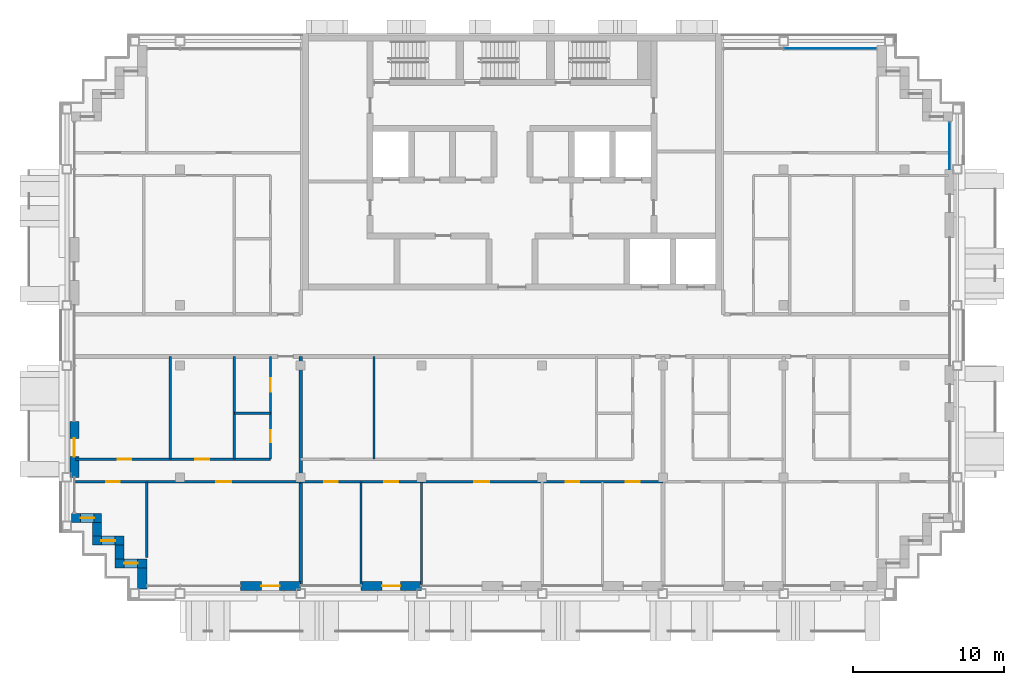
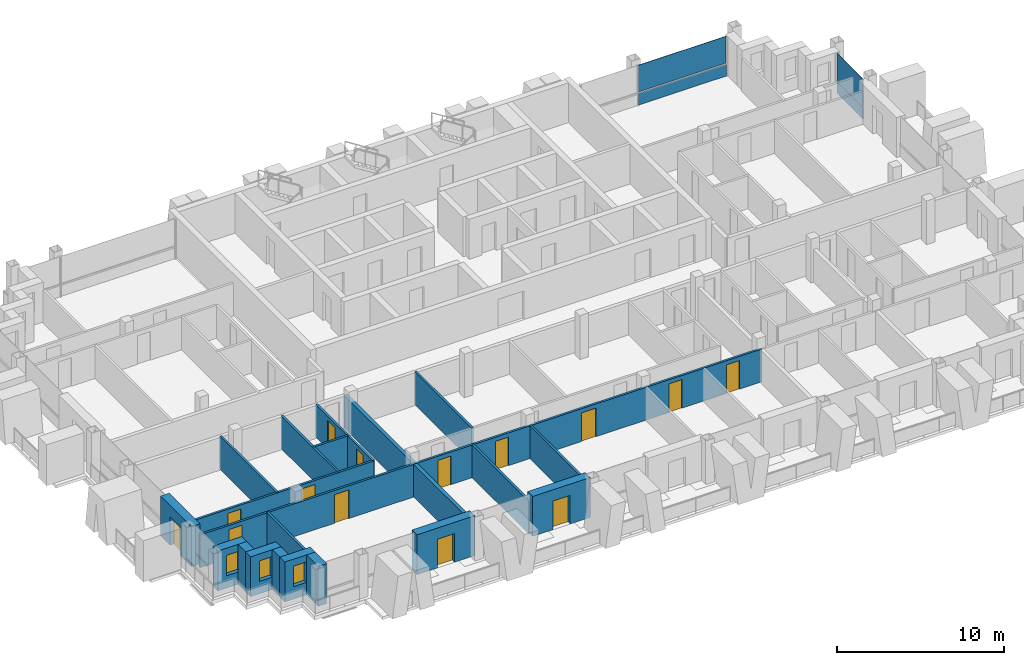
# One storey, part 7 of 15: 21 walls, 14 doors, 4 plates, 3 windows, 17 openings, 2 elements without a shape of their own.
"""IFC4 building model written with IfcOpenShell, lengths in metres."""

from ifc_helpers import new_model, si_unit, direction, frame, frame_2d, origin, origin_2d, place, context, subcontext, project, spatial, rectangle, extrude, material, layer, layer_set, type_object, element, fill, aggregate, save


model = new_model("IFC4")

# Units and contexts
model_context = context("Model", 3, precision=1e-05, world=origin(), true_north=direction((0.0, 1.0)))
body_context = subcontext(model_context, "Body", "Model", "MODEL_VIEW")
ifc_project = project(units=[si_unit("LENGTHUNIT", "METRE"), si_unit("AREAUNIT", "SQUARE_METRE"), si_unit("VOLUMEUNIT", "CUBIC_METRE"), si_unit("PLANEANGLEUNIT", "RADIAN"), si_unit("MASSUNIT", "GRAM", prefix="KILO")], contexts=[model_context])

# Site, building, storey
site_placement = place(None, origin())
site = spatial("IfcSite", under=ifc_project, at=site_placement, CompositionType="ELEMENT")
building_placement = place(site_placement, origin())
building = spatial("IfcBuilding", under=site, at=building_placement, Name="Vidyagriha Tower", CompositionType="ELEMENT")
storey_placement = place(building_placement, frame((0.0, 0.0, 210.800048828125)))
storey = spatial("IfcBuildingStorey", under=building, at=storey_placement, Name="L54", CompositionType="ELEMENT", Elevation=210.800048828125)

# Curtain wall, plate
ifc_material_1 = material(Name="Aluminium and glass curtain wall", Category="aluminium")
curtain_wall_type = type_object("IfcCurtainWallType", Name="Dwelling skin unitised curtain wall", PredefinedType="USERDEFINED", material=ifc_material_1)
curtain_wall_1_placement = place(storey_placement, origin())
curtain_wall_1 = element("IfcCurtainWall", 1, at=curtain_wall_1_placement, inside=storey, type_object=curtain_wall_type, Name="CW1 dwelling skin", ObjectType="UNITISED", PredefinedType="USERDEFINED")
ifc_material_2 = material(Name="Glass dark ceramic-fritted spandrel", Category="glass")
ifc_layer_1 = layer(ifc_material_2, 0.0400390625)
ifc_layer_set_1 = layer_set([ifc_layer_1], Name="Glass dark ceramic-fritted spandrel")
plate_type_1 = type_object("IfcPlateType", Name="Ceramic-fritted spandrel panel", PredefinedType="CURTAIN_PANEL", material=ifc_layer_set_1)
plate_1_placement = place(storey_placement, frame((21.08251953125, 19.0, 0.0), z_axis=(0.0, 0.0, 1.0), x_axis=(-1.0, 0.0, 0.0)))
plate_1 = element("IfcPlate", 2, at=plate_1_placement, type_object=plate_type_1, Name="CW1 panel 1.1", PredefinedType="CURTAIN_PANEL", context=body_context, shape_type="SweptSolid", body=[
    extrude(rectangle(XDim=6.094970703125, YDim=0.0400390625, at=origin_2d()), origin(), (0.0, 0.0, 1.0), 0.85009765625),
])

curtain_wall_2_placement = place(storey_placement, origin())
curtain_wall_2 = element("IfcCurtainWall", 3, at=curtain_wall_2_placement, inside=storey, type_object=curtain_wall_type, Name="CW1 dwelling skin", ObjectType="UNITISED", PredefinedType="USERDEFINED")
plate_2_placement = place(storey_placement, frame((29.0, 12.56494140625, 0.0), z_axis=(0.0, 0.0, 1.0), x_axis=(0.0, 1.0, 0.0)))
plate_2 = element("IfcPlate", 4, at=plate_2_placement, type_object=plate_type_1, Name="CW1 panel 1.1", PredefinedType="CURTAIN_PANEL", context=body_context, shape_type="SweptSolid", body=[
    extrude(rectangle(XDim=3.1298828125, YDim=0.0400390625, at=origin_2d()), origin(), (0.0, 0.0, 1.0), 0.85009765625),
])

# Plate
ifc_material_3 = material(Name="Glass dark ceramic-fritted", Category="glass")
ifc_layer_2 = layer(ifc_material_3, 0.028076171875)
ifc_layer_set_2 = layer_set([ifc_layer_2], Name="Glass dark ceramic-fritted")
plate_type_2 = type_object("IfcPlateType", Name="Dark ceramic-fritted vision glass panel", PredefinedType="CURTAIN_PANEL", material=ifc_layer_set_2)
plate_3_placement = place(storey_placement, frame((21.08251953125, 19.0, 0.9501953125), z_axis=(0.0, 0.0, 1.0), x_axis=(-1.0, 0.0, 0.0)))
plate_3 = element("IfcPlate", 5, at=plate_3_placement, type_object=plate_type_2, Name="CW1 panel 1.2", PredefinedType="CURTAIN_PANEL", context=body_context, shape_type="SweptSolid", body=[
    extrude(rectangle(XDim=6.094970703125, YDim=0.028076171875, at=origin_2d()), origin(), (0.0, 0.0, 1.0), 1.969970703125),
])

aggregate(curtain_wall_1, [plate_1, plate_3])

plate_4_placement = place(storey_placement, frame((29.0, 12.56494140625, 0.9501953125), z_axis=(0.0, 0.0, 1.0), x_axis=(0.0, 1.0, 0.0)))
plate_4 = element("IfcPlate", 6, at=plate_4_placement, type_object=plate_type_2, Name="CW1 panel 1.2", PredefinedType="CURTAIN_PANEL", context=body_context, shape_type="SweptSolid", body=[
    extrude(rectangle(XDim=3.1298828125, YDim=0.028076171875, at=origin_2d()), origin(), (0.0, 0.0, 1.0), 1.969970703125),
])

aggregate(curtain_wall_2, [plate_2, plate_4])

# Wall, opening, door
ifc_material_4 = material(Name="Precast concrete C40/50 with brick facing", Category="concrete")
ifc_layer_3 = layer(ifc_material_4, 0.60009765625)
ifc_layer_set_3 = layer_set([ifc_layer_3], Name="Precast concrete C40/50 with brick facing")
wall_type_1 = type_object("IfcWallType", Name="Brick-faced precast wall 600", PredefinedType="STANDARD", material=ifc_layer_set_3)
wall_1_placement = place(storey_placement, frame((-29.0, -5.699951171875, 0.0), z_axis=(0.0, 0.0, 1.0), x_axis=(0.0, -1.0, 0.0)))
wall_1 = element("IfcWall", 7, at=wall_1_placement, inside=storey, type_object=wall_type_1, Name="Brick door bay wall L54 R16.6", PredefinedType="STANDARD", context=body_context, shape_type="SweptSolid", body=[
    extrude(rectangle(XDim=3.699951171875, YDim=0.60009765625, at=frame_2d((1.85009765625, 0.0))), origin(), (0.0, 0.0, 1.0), 2.919921875),
])
opening_1_placement = place(wall_1_placement, frame((1.125, 0.0, 0.0)))
opening_1 = element("IfcOpeningElement", 8, at=opening_1_placement, cuts=wall_1, Name="Opening D54-60", PredefinedType="OPENING", context=body_context, shape_type="SweptSolid", body=[
    extrude(rectangle(XDim=1.199951171875, YDim=2.10009765625, at=frame_2d((0.60009765625, 1.050048828125))), frame((0.0, 0.31005859375, 0.0), z_axis=(0.0, -1.0, 0.0), x_axis=(1.0, 0.0, 0.0)), (0.0, 0.0, 1.0), 0.6201171875),
])
ifc_material_5 = material(Name="Aluminium framed glazed sliding door", Category="aluminium")
door_type_1 = type_object("IfcDoorType", Name="Balcony sliding door 1200x2100", OperationType="NOTDEFINED", PredefinedType="DOOR", material=ifc_material_5)
door_1_placement = place(opening_1_placement, origin())
door_1 = element("IfcDoor", 9, at=door_1_placement, inside=storey, type_object=door_type_1, Name="Door D54-60", OperationType="SLIDING_TO_LEFT", OverallHeight=2.10009765625, OverallWidth=1.199951171875, PredefinedType="DOOR", context=body_context, shape_type="SweptSolid", body=[
    extrude(rectangle(XDim=1.199951171875, YDim=2.10009765625, at=frame_2d((0.60009765625, 1.050048828125))), frame((0.0, 0.02490234375, 0.0), z_axis=(0.0, -1.0, 0.0), x_axis=(1.0, 0.0, 0.0)), (0.0, 0.0, 1.0), 0.050048828125),
])
fill(opening_1, door_1)

# Wall, opening, window
wall_2_placement = place(storey_placement, frame((-29.199951171875, -12.10009765625, 0.0)))
wall_2 = element("IfcWall", 10, at=wall_2_placement, inside=storey, type_object=wall_type_1, Name="Stepped corner wall L54 R17", PredefinedType="STANDARD", context=body_context, shape_type="SweptSolid", body=[
    extrude(rectangle(XDim=2.0, YDim=0.60009765625, at=frame_2d((1.0, 0.0))), origin(), (0.0, 0.0, 1.0), 2.919921875),
])
opening_2_placement = place(wall_2_placement, frame((0.610107421875, 0.0, 0.89990234375)))
opening_2 = element("IfcOpeningElement", 11, at=opening_2_placement, cuts=wall_2, Name="Opening WN1", PredefinedType="OPENING", context=body_context, shape_type="SweptSolid", body=[
    extrude(rectangle(XDim=0.89990234375, YDim=1.5, at=frame_2d((0.449951171875, 0.75))), frame((0.0, 0.31005859375, 0.0), z_axis=(0.0, -1.0, 0.0), x_axis=(1.0, 0.0, 0.0)), (0.0, 0.0, 1.0), 0.6201171875),
])
ifc_material_6 = material(Name="Aluminium and glass window", Category="aluminium")
window_type = type_object("IfcWindowType", Name="Reveal window 900x1500", PartitioningType="NOTDEFINED", PredefinedType="WINDOW", material=ifc_material_6)
window_1_placement = place(opening_2_placement, origin())
window_1 = element("IfcWindow", 12, at=window_1_placement, inside=storey, type_object=window_type, Name="Reveal window L54 R17", OverallHeight=1.5, OverallWidth=0.89990234375, PartitioningType="SINGLE_PANEL", PredefinedType="WINDOW", context=body_context, shape_type="SweptSolid", body=[
    extrude(rectangle(XDim=0.89990234375, YDim=1.5, at=frame_2d((0.449951171875, 0.75))), frame((0.0, 0.030029296875, 0.0), z_axis=(0.0, -1.0, 0.0), x_axis=(1.0, 0.0, 0.0)), (0.0, 0.0, 1.0), 0.06005859375),
])
fill(opening_2, window_1)

# Wall
wall_3_placement = place(storey_placement, frame((-27.5, -12.39990234375, 0.0), z_axis=(0.0, 0.0, 1.0), x_axis=(0.0, -1.0, 0.0)))
element("IfcWall", 13, at=wall_3_placement, inside=storey, type_object=wall_type_1, Name="Stepped corner wall L54 R18", PredefinedType="STANDARD", context=body_context, shape_type="SweptSolid", body=[
    extrude(rectangle(XDim=0.900146484375, YDim=0.60009765625, at=frame_2d((0.4501953125, 0.0))), origin(), (0.0, 0.0, 1.0), 2.919921875),
])

# Wall, opening, window
wall_4_placement = place(storey_placement, frame((-27.800048828125, -13.60009765625, 0.0)))
wall_4 = element("IfcWall", 14, at=wall_4_placement, inside=storey, type_object=wall_type_1, Name="Stepped corner wall L54 R19", PredefinedType="STANDARD", context=body_context, shape_type="SweptSolid", body=[
    extrude(rectangle(XDim=2.10009765625, YDim=0.60009765625, at=frame_2d((1.050048828125, 0.0))), origin(), (0.0, 0.0, 1.0), 2.919921875),
])
opening_3_placement = place(wall_4_placement, frame((0.60009765625, 0.0, 0.89990234375)))
opening_3 = element("IfcOpeningElement", 15, at=opening_3_placement, cuts=wall_4, Name="Opening WN1", PredefinedType="OPENING", context=body_context, shape_type="SweptSolid", body=[
    extrude(rectangle(XDim=0.89990234375, YDim=1.5, at=frame_2d((0.449951171875, 0.75))), frame((0.0, 0.31005859375, 0.0), z_axis=(0.0, -1.0, 0.0), x_axis=(1.0, 0.0, 0.0)), (0.0, 0.0, 1.0), 0.6201171875),
])
window_2_placement = place(opening_3_placement, origin())
window_2 = element("IfcWindow", 16, at=window_2_placement, inside=storey, type_object=window_type, Name="Reveal window L54 R19", OverallHeight=1.5, OverallWidth=0.89990234375, PartitioningType="SINGLE_PANEL", PredefinedType="WINDOW", context=body_context, shape_type="SweptSolid", body=[
    extrude(rectangle(XDim=0.89990234375, YDim=1.5, at=frame_2d((0.449951171875, 0.75))), frame((0.0, 0.030029296875, 0.0), z_axis=(0.0, -1.0, 0.0), x_axis=(1.0, 0.0, 0.0)), (0.0, 0.0, 1.0), 0.06005859375),
])
fill(opening_3, window_2)

# Wall
wall_5_placement = place(storey_placement, frame((-26.0, -13.89990234375, 0.0), z_axis=(0.0, 0.0, 1.0), x_axis=(0.0, -1.0, 0.0)))
element("IfcWall", 17, at=wall_5_placement, inside=storey, type_object=wall_type_1, Name="Stepped corner wall L54 R20", PredefinedType="STANDARD", context=body_context, shape_type="SweptSolid", body=[
    extrude(rectangle(XDim=0.900146484375, YDim=0.60009765625, at=frame_2d((0.4501953125, 0.0))), origin(), (0.0, 0.0, 1.0), 2.919921875),
])

# Wall, opening, window
wall_6_placement = place(storey_placement, frame((-26.300048828125, -15.10009765625, 0.0)))
wall_6 = element("IfcWall", 18, at=wall_6_placement, inside=storey, type_object=wall_type_1, Name="Stepped corner wall L54 R21", PredefinedType="STANDARD", context=body_context, shape_type="SweptSolid", body=[
    extrude(rectangle(XDim=2.10009765625, YDim=0.60009765625, at=frame_2d((1.050048828125, 0.0))), origin(), (0.0, 0.0, 1.0), 2.919921875),
])
opening_4_placement = place(wall_6_placement, frame((0.60009765625, 0.0, 0.89990234375)))
opening_4 = element("IfcOpeningElement", 19, at=opening_4_placement, cuts=wall_6, Name="Opening WN1", PredefinedType="OPENING", context=body_context, shape_type="SweptSolid", body=[
    extrude(rectangle(XDim=0.89990234375, YDim=1.5, at=frame_2d((0.449951171875, 0.75))), frame((0.0, 0.31005859375, 0.0), z_axis=(0.0, -1.0, 0.0), x_axis=(1.0, 0.0, 0.0)), (0.0, 0.0, 1.0), 0.6201171875),
])
window_3_placement = place(opening_4_placement, origin())
window_3 = element("IfcWindow", 20, at=window_3_placement, inside=storey, type_object=window_type, Name="Reveal window L54 R21", OverallHeight=1.5, OverallWidth=0.89990234375, PartitioningType="SINGLE_PANEL", PredefinedType="WINDOW", context=body_context, shape_type="SweptSolid", body=[
    extrude(rectangle(XDim=0.89990234375, YDim=1.5, at=frame_2d((0.449951171875, 0.75))), frame((0.0, 0.030029296875, 0.0), z_axis=(0.0, -1.0, 0.0), x_axis=(1.0, 0.0, 0.0)), (0.0, 0.0, 1.0), 0.06005859375),
])
fill(opening_4, window_3)

# Wall
wall_7_placement = place(storey_placement, frame((-24.5, -15.39990234375, 0.0), z_axis=(0.0, 0.0, 1.0), x_axis=(0.0, -1.0, 0.0)))
element("IfcWall", 21, at=wall_7_placement, inside=storey, type_object=wall_type_1, Name="Stepped corner wall L54 R22", PredefinedType="STANDARD", context=body_context, shape_type="SweptSolid", body=[
    extrude(rectangle(XDim=1.400146484375, YDim=0.60009765625, at=frame_2d((0.7001953125, 0.0))), origin(), (0.0, 0.0, 1.0), 2.919921875),
])

# Wall, opening, door
wall_8_placement = place(storey_placement, frame((-18.0, -16.60009765625, 0.0)))
wall_8 = element("IfcWall", 22, at=wall_8_placement, inside=storey, type_object=wall_type_1, Name="Brick door bay wall L54 R23.3", PredefinedType="STANDARD", context=body_context, shape_type="SweptSolid", body=[
    extrude(rectangle(XDim=4.0, YDim=0.60009765625, at=frame_2d((2.0, 0.0))), origin(), (0.0, 0.0, 1.0), 2.919921875),
])
opening_5_placement = place(wall_8_placement, frame((1.39990234375, 0.0, 0.0)))
opening_5 = element("IfcOpeningElement", 23, at=opening_5_placement, cuts=wall_8, Name="Opening D54-61", PredefinedType="OPENING", context=body_context, shape_type="SweptSolid", body=[
    extrude(rectangle(XDim=1.199951171875, YDim=2.10009765625, at=frame_2d((0.60009765625, 1.050048828125))), frame((0.0, 0.31005859375, 0.0), z_axis=(0.0, -1.0, 0.0), x_axis=(1.0, 0.0, 0.0)), (0.0, 0.0, 1.0), 0.6201171875),
])
door_2_placement = place(opening_5_placement, origin())
door_2 = element("IfcDoor", 24, at=door_2_placement, inside=storey, type_object=door_type_1, Name="Door D54-61", OperationType="SLIDING_TO_LEFT", OverallHeight=2.10009765625, OverallWidth=1.199951171875, PredefinedType="DOOR", context=body_context, shape_type="SweptSolid", body=[
    extrude(rectangle(XDim=1.199951171875, YDim=2.10009765625, at=frame_2d((0.60009765625, 1.050048828125))), frame((0.0, 0.02490234375, 0.0), z_axis=(0.0, -1.0, 0.0), x_axis=(1.0, 0.0, 0.0)), (0.0, 0.0, 1.0), 0.050048828125),
])
fill(opening_5, door_2)

wall_9_placement = place(storey_placement, frame((-10.0, -16.60009765625, 0.0)))
wall_9 = element("IfcWall", 25, at=wall_9_placement, inside=storey, type_object=wall_type_1, Name="Brick door bay wall L54 R23.5", PredefinedType="STANDARD", context=body_context, shape_type="SweptSolid", body=[
    extrude(rectangle(XDim=4.0, YDim=0.60009765625, at=frame_2d((2.0, 0.0))), origin(), (0.0, 0.0, 1.0), 2.919921875),
])
opening_6_placement = place(wall_9_placement, frame((1.39990234375, 0.0, 0.0)))
opening_6 = element("IfcOpeningElement", 26, at=opening_6_placement, cuts=wall_9, Name="Opening D54-62", PredefinedType="OPENING", context=body_context, shape_type="SweptSolid", body=[
    extrude(rectangle(XDim=1.199951171875, YDim=2.10009765625, at=frame_2d((0.60009765625, 1.050048828125))), frame((0.0, 0.31005859375, 0.0), z_axis=(0.0, -1.0, 0.0), x_axis=(1.0, 0.0, 0.0)), (0.0, 0.0, 1.0), 0.6201171875),
])
door_3_placement = place(opening_6_placement, origin())
door_3 = element("IfcDoor", 27, at=door_3_placement, inside=storey, type_object=door_type_1, Name="Door D54-62", OperationType="SLIDING_TO_LEFT", OverallHeight=2.10009765625, OverallWidth=1.199951171875, PredefinedType="DOOR", context=body_context, shape_type="SweptSolid", body=[
    extrude(rectangle(XDim=1.199951171875, YDim=2.10009765625, at=frame_2d((0.60009765625, 1.050048828125))), frame((0.0, 0.02490234375, 0.0), z_axis=(0.0, -1.0, 0.0), x_axis=(1.0, 0.0, 0.0)), (0.0, 0.0, 1.0), 0.050048828125),
])
fill(opening_6, door_3)

# Walls
ifc_material_7 = material(Name="Fired clay brick masonry", Category="masonry")
ifc_layer_4 = layer(ifc_material_7, 0.25)
ifc_layer_set_4 = layer_set([ifc_layer_4], Name="Fired clay brick masonry")
wall_type_2 = type_object("IfcWallType", Name="Fired clay brick demising wall 250", PredefinedType="PARTITIONING", material=ifc_layer_set_4)
wall_10_placement = place(storey_placement, frame((-14.0, -1.39990234375, 0.0), z_axis=(0.0, 0.0, 1.0), x_axis=(0.0, -1.0, 0.0)))
element("IfcWall", 28, at=wall_10_placement, inside=storey, type_object=wall_type_2, Name="Wall all-L54-w037", PredefinedType="PARTITIONING", context=body_context, shape_type="SweptSolid", body=[
    extrude(rectangle(XDim=15.110107421875, YDim=0.25, at=frame_2d((7.55517578125, 0.0))), origin(), (0.0, 0.0, 1.0), 2.39990234375),
])
ifc_material_8 = material(Name="Gypsum board partition")
ifc_layer_5 = layer(ifc_material_8, 0.14990234375)
ifc_layer_set_5 = layer_set([ifc_layer_5], Name="Gypsum board partition")
wall_type_3 = type_object("IfcWallType", Name="Gypsum board partition 150", PredefinedType="PARTITIONING", material=ifc_layer_set_5)
wall_11_placement = place(storey_placement, frame((-16.0, -5.14990234375, 0.0), z_axis=(0.0, 0.0, 1.0), x_axis=(-1.0, 0.0, 0.0)))
element("IfcWall", 29, at=wall_11_placement, inside=storey, type_object=wall_type_3, Name="Wall all-L54-w004", PredefinedType="PARTITIONING", context=body_context, shape_type="SweptSolid", body=[
    extrude(rectangle(XDim=2.39990234375, YDim=0.14990234375, at=frame_2d((1.199951171875, 0.0))), origin(), (0.0, 0.0, 1.0), 2.39990234375),
])
for number, where, z_axis, x_axis, name in (
    (30, (-18.39990234375, -8.199951171875, 0.0), (0.0, 0.0, 1.0), (0.0, 1.0, 0.0), "Wall all-L54-w005"),
    (31, (-22.64990234375, -8.199951171875, 0.0), (0.0, 0.0, 1.0), (0.0, 1.0, 0.0), "Wall all-L54-w006"),
):
    element("IfcWall", number, at=place(storey_placement, frame(where, z_axis=z_axis, x_axis=x_axis)), inside=storey, type_object=wall_type_3, Name=name, PredefinedType="PARTITIONING", context=body_context, shape_type="SweptSolid", body=[
        extrude(rectangle(XDim=6.800048828125, YDim=0.14990234375, at=frame_2d((3.39990234375, 0.0))), origin(), (0.0, 0.0, 1.0), 2.39990234375),
    ])

# Wall, openings, doors
wall_12_placement = place(storey_placement, frame((-28.909912109375, -8.199951171875, 0.0)))
wall_12 = element("IfcWall", 32, at=wall_12_placement, inside=storey, type_object=wall_type_3, Name="Wall all-L54-w007", PredefinedType="PARTITIONING", context=body_context, shape_type="SweptSolid", body=[
    extrude(rectangle(XDim=12.909912109375, YDim=0.14990234375, at=frame_2d((6.455078125, 0.0))), origin(), (0.0, 0.0, 1.0), 2.39990234375),
])
opening_7_placement = place(wall_12_placement, frame((7.93505859375, 0.0, 0.0)))
opening_7 = element("IfcOpeningElement", 33, at=opening_7_placement, cuts=wall_12, Name="Opening D54-17", PredefinedType="OPENING", context=body_context, shape_type="SweptSolid", body=[
    extrude(rectangle(XDim=0.89990234375, YDim=2.10009765625, at=frame_2d((0.449951171875, 1.050048828125))), frame((0.0, 0.0849609375, 0.0), z_axis=(0.0, -1.0, 0.0), x_axis=(1.0, 0.0, 0.0)), (0.0, 0.0, 1.0), 0.169921875),
])
opening_8_placement = place(wall_12_placement, frame((2.784912109375, 0.0, 0.0)))
opening_8 = element("IfcOpeningElement", 34, at=opening_8_placement, cuts=wall_12, Name="Opening D54-18", PredefinedType="OPENING", context=body_context, shape_type="SweptSolid", body=[
    extrude(rectangle(XDim=0.89990234375, YDim=2.10009765625, at=frame_2d((0.449951171875, 1.050048828125))), frame((0.0, 0.0849609375, 0.0), z_axis=(0.0, -1.0, 0.0), x_axis=(1.0, 0.0, 0.0)), (0.0, 0.0, 1.0), 0.169921875),
])
ifc_material_9 = material(Name="Timber door leaf", Category="wood")
door_type_2 = type_object("IfcDoorType", Name="Room door 900x2100", OperationType="NOTDEFINED", PredefinedType="DOOR", material=ifc_material_9)
door_4_placement = place(opening_7_placement, origin())
door_4 = element("IfcDoor", 35, at=door_4_placement, inside=storey, type_object=door_type_2, Name="Door D54-17", OperationType="SINGLE_SWING_RIGHT", OverallHeight=2.10009765625, OverallWidth=0.89990234375, PredefinedType="DOOR", context=body_context, shape_type="SweptSolid", body=[
    extrude(rectangle(XDim=0.89990234375, YDim=2.10009765625, at=frame_2d((0.449951171875, 1.050048828125))), frame((0.0, 0.02490234375, 0.0), z_axis=(0.0, -1.0, 0.0), x_axis=(1.0, 0.0, 0.0)), (0.0, 0.0, 1.0), 0.050048828125),
])
fill(opening_7, door_4)
door_5_placement = place(opening_8_placement, origin())
door_5 = element("IfcDoor", 36, at=door_5_placement, inside=storey, type_object=door_type_2, Name="Door D54-18", OperationType="SINGLE_SWING_LEFT", OverallHeight=2.10009765625, OverallWidth=0.89990234375, PredefinedType="DOOR", context=body_context, shape_type="SweptSolid", body=[
    extrude(rectangle(XDim=0.89990234375, YDim=2.10009765625, at=frame_2d((0.449951171875, 1.050048828125))), frame((0.0, 0.02490234375, 0.0), z_axis=(0.0, -1.0, 0.0), x_axis=(1.0, 0.0, 0.0)), (0.0, 0.0, 1.0), 0.050048828125),
])
fill(opening_8, door_5)

wall_13_placement = place(storey_placement, frame((-14.0, -9.699951171875, 0.0), z_axis=(0.0, 0.0, 1.0), x_axis=(-1.0, 0.0, 0.0)))
wall_13 = element("IfcWall", 37, at=wall_13_placement, inside=storey, type_object=wall_type_3, Name="Wall all-L54-w010", PredefinedType="PARTITIONING", context=body_context, shape_type="SweptSolid", body=[
    extrude(rectangle(XDim=14.919921875, YDim=0.14990234375, at=frame_2d((7.4599609375, 0.0))), origin(), (0.0, 0.0, 1.0), 2.39990234375),
])
opening_9_placement = place(wall_13_placement, frame((12.0, 0.0, 0.0)))
opening_9 = element("IfcOpeningElement", 38, at=opening_9_placement, cuts=wall_13, Name="Opening D54-19", PredefinedType="OPENING", context=body_context, shape_type="SweptSolid", body=[
    extrude(rectangle(XDim=0.89990234375, YDim=2.10009765625, at=frame_2d((0.449951171875, 1.050048828125))), frame((0.0, 0.0849609375, 0.0), z_axis=(0.0, -1.0, 0.0), x_axis=(1.0, 0.0, 0.0)), (0.0, 0.0, 1.0), 0.169921875),
])
opening_10_placement = place(wall_13_placement, frame((4.60009765625, 0.0, 0.0)))
opening_10 = element("IfcOpeningElement", 39, at=opening_10_placement, cuts=wall_13, Name="Opening D54-20", PredefinedType="OPENING", context=body_context, shape_type="SweptSolid", body=[
    extrude(rectangle(XDim=1.0, YDim=2.10009765625, at=frame_2d((0.5, 1.050048828125))), frame((0.0, 0.0849609375, 0.0), z_axis=(0.0, -1.0, 0.0), x_axis=(1.0, 0.0, 0.0)), (0.0, 0.0, 1.0), 0.169921875),
])
ifc_material_10 = material(Name="Timber door leaf", Category="wood")
door_type_3 = type_object("IfcDoorType", Name="Room door 1000x2100", OperationType="NOTDEFINED", PredefinedType="DOOR", material=ifc_material_10)
door_6_placement = place(opening_10_placement, origin())
door_6 = element("IfcDoor", 40, at=door_6_placement, inside=storey, type_object=door_type_3, Name="Door D54-20", OperationType="SINGLE_SWING_RIGHT", OverallHeight=2.10009765625, OverallWidth=1.0, PredefinedType="DOOR", context=body_context, shape_type="SweptSolid", body=[
    extrude(rectangle(XDim=1.0, YDim=2.10009765625, at=frame_2d((0.5, 1.050048828125))), frame((0.0, 0.02490234375, 0.0), z_axis=(0.0, -1.0, 0.0), x_axis=(1.0, 0.0, 0.0)), (0.0, 0.0, 1.0), 0.050048828125),
])
fill(opening_10, door_6)
door_7_placement = place(opening_9_placement, origin())
door_7 = element("IfcDoor", 41, at=door_7_placement, inside=storey, type_object=door_type_2, Name="Door D54-19", OperationType="SINGLE_SWING_RIGHT", OverallHeight=2.10009765625, OverallWidth=0.89990234375, PredefinedType="DOOR", context=body_context, shape_type="SweptSolid", body=[
    extrude(rectangle(XDim=0.89990234375, YDim=2.10009765625, at=frame_2d((0.449951171875, 1.050048828125))), frame((0.0, 0.02490234375, 0.0), z_axis=(0.0, -1.0, 0.0), x_axis=(1.0, 0.0, 0.0)), (0.0, 0.0, 1.0), 0.050048828125),
])
fill(opening_9, door_7)

# Walls
wall_14_placement = place(storey_placement, frame((-24.199951171875, -9.699951171875, 0.0), z_axis=(0.0, 0.0, 1.0), x_axis=(0.0, -1.0, 0.0)))
element("IfcWall", 42, at=wall_14_placement, inside=storey, type_object=wall_type_3, Name="Wall all-L54-w013", PredefinedType="PARTITIONING", context=body_context, shape_type="SweptSolid", body=[
    extrude(rectangle(XDim=5.02001953125, YDim=0.14990234375, at=frame_2d((2.510009765625, 0.0))), origin(), (0.0, 0.0, 1.0), 2.39990234375),
])
wall_15_placement = place(storey_placement, frame((-9.14990234375, -8.199951171875, 0.0), z_axis=(0.0, 0.0, 1.0), x_axis=(0.0, 1.0, 0.0)))
element("IfcWall", 43, at=wall_15_placement, inside=storey, type_object=wall_type_3, Name="Wall all-L54-w021", PredefinedType="PARTITIONING", context=body_context, shape_type="SweptSolid", body=[
    extrude(rectangle(XDim=6.800048828125, YDim=0.14990234375, at=frame_2d((3.39990234375, 0.0))), origin(), (0.0, 0.0, 1.0), 2.39990234375),
])

# Wall, openings, doors
wall_16_placement = place(storey_placement, frame((10.0, -9.699951171875, 0.0), z_axis=(0.0, 0.0, 1.0), x_axis=(-1.0, 0.0, 0.0)))
wall_16 = element("IfcWall", 44, at=wall_16_placement, inside=storey, type_object=wall_type_3, Name="Wall all-L54-w026", PredefinedType="PARTITIONING", context=body_context, shape_type="SweptSolid", body=[
    extrude(rectangle(XDim=24.0, YDim=0.14990234375, at=frame_2d((12.0, 0.0))), origin(), (0.0, 0.0, 1.0), 2.39990234375),
])
opening_11_placement = place(wall_16_placement, frame((21.550048828125, 0.0, 0.0)))
opening_11 = element("IfcOpeningElement", 45, at=opening_11_placement, cuts=wall_16, Name="Opening D54-27", PredefinedType="OPENING", context=body_context, shape_type="SweptSolid", body=[
    extrude(rectangle(XDim=0.89990234375, YDim=2.10009765625, at=frame_2d((0.449951171875, 1.050048828125))), frame((0.0, 0.0849609375, 0.0), z_axis=(0.0, -1.0, 0.0), x_axis=(1.0, 0.0, 0.0)), (0.0, 0.0, 1.0), 0.169921875),
])
opening_12_placement = place(wall_16_placement, frame((17.550048828125, 0.0, 0.0)))
opening_12 = element("IfcOpeningElement", 46, at=opening_12_placement, cuts=wall_16, Name="Opening D54-28", PredefinedType="OPENING", context=body_context, shape_type="SweptSolid", body=[
    extrude(rectangle(XDim=0.89990234375, YDim=2.10009765625, at=frame_2d((0.449951171875, 1.050048828125))), frame((0.0, 0.0849609375, 0.0), z_axis=(0.0, -1.0, 0.0), x_axis=(1.0, 0.0, 0.0)), (0.0, 0.0, 1.0), 0.169921875),
])
opening_13_placement = place(wall_16_placement, frame((11.5, 0.0, 0.0)))
opening_13 = element("IfcOpeningElement", 47, at=opening_13_placement, cuts=wall_16, Name="Opening D54-29", PredefinedType="OPENING", context=body_context, shape_type="SweptSolid", body=[
    extrude(rectangle(XDim=1.0, YDim=2.10009765625, at=frame_2d((0.5, 1.050048828125))), frame((0.0, 0.0849609375, 0.0), z_axis=(0.0, -1.0, 0.0), x_axis=(1.0, 0.0, 0.0)), (0.0, 0.0, 1.0), 0.169921875),
])
opening_14_placement = place(wall_16_placement, frame((5.550048828125, 0.0, 0.0)))
opening_14 = element("IfcOpeningElement", 48, at=opening_14_placement, cuts=wall_16, Name="Opening D54-30", PredefinedType="OPENING", context=body_context, shape_type="SweptSolid", body=[
    extrude(rectangle(XDim=0.89990234375, YDim=2.10009765625, at=frame_2d((0.449951171875, 1.050048828125))), frame((0.0, 0.0849609375, 0.0), z_axis=(0.0, -1.0, 0.0), x_axis=(1.0, 0.0, 0.0)), (0.0, 0.0, 1.0), 0.169921875),
])
opening_15_placement = place(wall_16_placement, frame((1.550048828125, 0.0, 0.0)))
opening_15 = element("IfcOpeningElement", 49, at=opening_15_placement, cuts=wall_16, Name="Opening D54-31", PredefinedType="OPENING", context=body_context, shape_type="SweptSolid", body=[
    extrude(rectangle(XDim=0.89990234375, YDim=2.10009765625, at=frame_2d((0.449951171875, 1.050048828125))), frame((0.0, 0.0849609375, 0.0), z_axis=(0.0, -1.0, 0.0), x_axis=(1.0, 0.0, 0.0)), (0.0, 0.0, 1.0), 0.169921875),
])
door_8_placement = place(opening_13_placement, origin())
door_8 = element("IfcDoor", 50, at=door_8_placement, inside=storey, type_object=door_type_3, Name="Door D54-29", OperationType="SINGLE_SWING_RIGHT", OverallHeight=2.10009765625, OverallWidth=1.0, PredefinedType="DOOR", context=body_context, shape_type="SweptSolid", body=[
    extrude(rectangle(XDim=1.0, YDim=2.10009765625, at=frame_2d((0.5, 1.050048828125))), frame((0.0, 0.02490234375, 0.0), z_axis=(0.0, -1.0, 0.0), x_axis=(1.0, 0.0, 0.0)), (0.0, 0.0, 1.0), 0.050048828125),
])
fill(opening_13, door_8)
door_9_placement = place(opening_11_placement, origin())
door_9 = element("IfcDoor", 51, at=door_9_placement, inside=storey, type_object=door_type_2, Name="Door D54-27", OperationType="SINGLE_SWING_RIGHT", OverallHeight=2.10009765625, OverallWidth=0.89990234375, PredefinedType="DOOR", context=body_context, shape_type="SweptSolid", body=[
    extrude(rectangle(XDim=0.89990234375, YDim=2.10009765625, at=frame_2d((0.449951171875, 1.050048828125))), frame((0.0, 0.02490234375, 0.0), z_axis=(0.0, -1.0, 0.0), x_axis=(1.0, 0.0, 0.0)), (0.0, 0.0, 1.0), 0.050048828125),
])
fill(opening_11, door_9)
door_10_placement = place(opening_12_placement, origin())
door_10 = element("IfcDoor", 52, at=door_10_placement, inside=storey, type_object=door_type_2, Name="Door D54-28", OperationType="SINGLE_SWING_RIGHT", OverallHeight=2.10009765625, OverallWidth=0.89990234375, PredefinedType="DOOR", context=body_context, shape_type="SweptSolid", body=[
    extrude(rectangle(XDim=0.89990234375, YDim=2.10009765625, at=frame_2d((0.449951171875, 1.050048828125))), frame((0.0, 0.02490234375, 0.0), z_axis=(0.0, -1.0, 0.0), x_axis=(1.0, 0.0, 0.0)), (0.0, 0.0, 1.0), 0.050048828125),
])
fill(opening_12, door_10)
door_11_placement = place(opening_14_placement, origin())
door_11 = element("IfcDoor", 53, at=door_11_placement, inside=storey, type_object=door_type_2, Name="Door D54-30", OperationType="SINGLE_SWING_RIGHT", OverallHeight=2.10009765625, OverallWidth=0.89990234375, PredefinedType="DOOR", context=body_context, shape_type="SweptSolid", body=[
    extrude(rectangle(XDim=0.89990234375, YDim=2.10009765625, at=frame_2d((0.449951171875, 1.050048828125))), frame((0.0, 0.02490234375, 0.0), z_axis=(0.0, -1.0, 0.0), x_axis=(1.0, 0.0, 0.0)), (0.0, 0.0, 1.0), 0.050048828125),
])
fill(opening_14, door_11)
door_12_placement = place(opening_15_placement, origin())
door_12 = element("IfcDoor", 54, at=door_12_placement, inside=storey, type_object=door_type_2, Name="Door D54-31", OperationType="SINGLE_SWING_RIGHT", OverallHeight=2.10009765625, OverallWidth=0.89990234375, PredefinedType="DOOR", context=body_context, shape_type="SweptSolid", body=[
    extrude(rectangle(XDim=0.89990234375, YDim=2.10009765625, at=frame_2d((0.449951171875, 1.050048828125))), frame((0.0, 0.02490234375, 0.0), z_axis=(0.0, -1.0, 0.0), x_axis=(1.0, 0.0, 0.0)), (0.0, 0.0, 1.0), 0.050048828125),
])
fill(opening_15, door_12)

# Walls
wall_17_placement = place(storey_placement, frame((-10.0, -9.699951171875, 0.0), z_axis=(0.0, 0.0, 1.0), x_axis=(0.0, -1.0, 0.0)))
element("IfcWall", 55, at=wall_17_placement, inside=storey, type_object=wall_type_3, Name="Wall all-L54-w032", PredefinedType="PARTITIONING", context=body_context, shape_type="SweptSolid", body=[
    extrude(rectangle(XDim=6.821044921875, YDim=0.14990234375, at=frame_2d((3.41064453125, 0.0))), origin(), (0.0, 0.0, 1.0), 2.39990234375),
])
wall_18_placement = place(storey_placement, frame((-6.0, -9.699951171875, 0.0), z_axis=(0.0, 0.0, 1.0), x_axis=(0.0, -1.0, 0.0)))
element("IfcWall", 56, at=wall_18_placement, inside=storey, type_object=wall_type_3, Name="Wall all-L54-w033", PredefinedType="PARTITIONING", context=body_context, shape_type="SweptSolid", body=[
    extrude(rectangle(XDim=6.81005859375, YDim=0.14990234375, at=frame_2d((3.405029296875, 0.0))), origin(), (0.0, 0.0, 1.0), 2.39990234375),
])

# Wall, openings, doors
ifc_material_11 = material(Name="Moisture resistant gypsum board partition")
ifc_layer_6 = layer(ifc_material_11, 0.14990234375)
ifc_layer_set_6 = layer_set([ifc_layer_6], Name="Moisture resistant gypsum board partition")
wall_type_4 = type_object("IfcWallType", Name="Gypsum board wet-area partition 150", PredefinedType="PARTITIONING", material=ifc_layer_set_6)
wall_19_placement = place(storey_placement, frame((-16.0, -8.199951171875, 0.0), z_axis=(0.0, 0.0, 1.0), x_axis=(0.0, 1.0, 0.0)))
wall_19 = element("IfcWall", 57, at=wall_19_placement, inside=storey, type_object=wall_type_4, Name="Wall all-L54-w001", PredefinedType="PARTITIONING", context=body_context, shape_type="SweptSolid", body=[
    extrude(rectangle(XDim=6.800048828125, YDim=0.14990234375, at=frame_2d((3.39990234375, 0.0))), origin(), (0.0, 0.0, 1.0), 2.39990234375),
])
opening_16_placement = place(wall_19_placement, frame((4.47509765625, 0.0, 0.0)))
opening_16 = element("IfcOpeningElement", 58, at=opening_16_placement, cuts=wall_19, Name="Opening D54-15", PredefinedType="OPENING", context=body_context, shape_type="SweptSolid", body=[
    extrude(rectangle(XDim=0.89990234375, YDim=2.10009765625, at=frame_2d((0.449951171875, 1.050048828125))), frame((0.0, 0.0849609375, 0.0), z_axis=(0.0, -1.0, 0.0), x_axis=(1.0, 0.0, 0.0)), (0.0, 0.0, 1.0), 0.169921875),
])
opening_17_placement = place(wall_19_placement, frame((1.125, 0.0, 0.0)))
opening_17 = element("IfcOpeningElement", 59, at=opening_17_placement, cuts=wall_19, Name="Opening D54-16", PredefinedType="OPENING", context=body_context, shape_type="SweptSolid", body=[
    extrude(rectangle(XDim=0.800048828125, YDim=2.10009765625, at=frame_2d((0.39990234375, 1.050048828125))), frame((0.0, 0.0849609375, 0.0), z_axis=(0.0, -1.0, 0.0), x_axis=(1.0, 0.0, 0.0)), (0.0, 0.0, 1.0), 0.169921875),
])
ifc_material_12 = material(Name="Timber door leaf", Category="wood")
door_type_4 = type_object("IfcDoorType", Name="Bathroom door 800x2100", OperationType="NOTDEFINED", PredefinedType="DOOR", material=ifc_material_12)
door_13_placement = place(opening_17_placement, origin())
door_13 = element("IfcDoor", 60, at=door_13_placement, inside=storey, type_object=door_type_4, Name="Door D54-16", OperationType="SINGLE_SWING_RIGHT", OverallHeight=2.10009765625, OverallWidth=0.800048828125, PredefinedType="DOOR", context=body_context, shape_type="SweptSolid", body=[
    extrude(rectangle(XDim=0.800048828125, YDim=2.10009765625, at=frame_2d((0.39990234375, 1.050048828125))), frame((0.0, 0.02490234375, 0.0), z_axis=(0.0, -1.0, 0.0), x_axis=(1.0, 0.0, 0.0)), (0.0, 0.0, 1.0), 0.050048828125),
])
fill(opening_17, door_13)
ifc_material_13 = material(Name="Timber door leaf", Category="wood")
door_type_5 = type_object("IfcDoorType", Name="Kitchen door 900x2100", OperationType="NOTDEFINED", PredefinedType="DOOR", material=ifc_material_13)
door_14_placement = place(opening_16_placement, origin())
door_14 = element("IfcDoor", 61, at=door_14_placement, inside=storey, type_object=door_type_5, Name="Door D54-15", OperationType="SINGLE_SWING_LEFT", OverallHeight=2.10009765625, OverallWidth=0.89990234375, PredefinedType="DOOR", context=body_context, shape_type="SweptSolid", body=[
    extrude(rectangle(XDim=0.89990234375, YDim=2.10009765625, at=frame_2d((0.449951171875, 1.050048828125))), frame((0.0, 0.02490234375, 0.0), z_axis=(0.0, -1.0, 0.0), x_axis=(1.0, 0.0, 0.0)), (0.0, 0.0, 1.0), 0.050048828125),
])
fill(opening_16, door_14)

save(model, "model.ifc")
